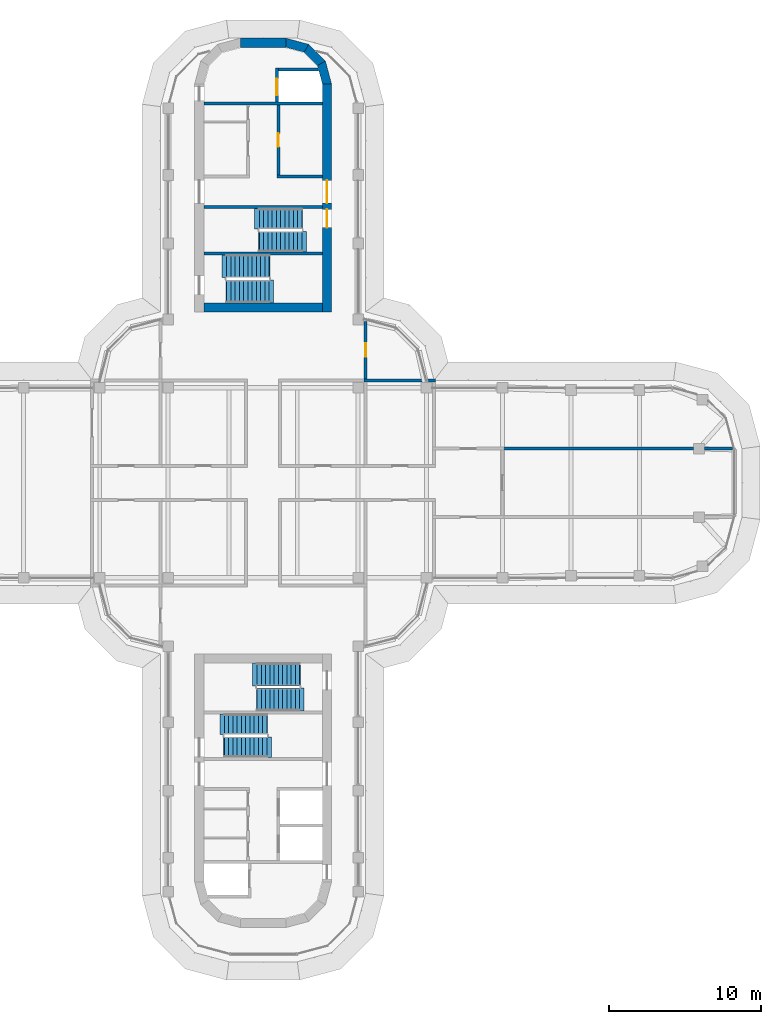
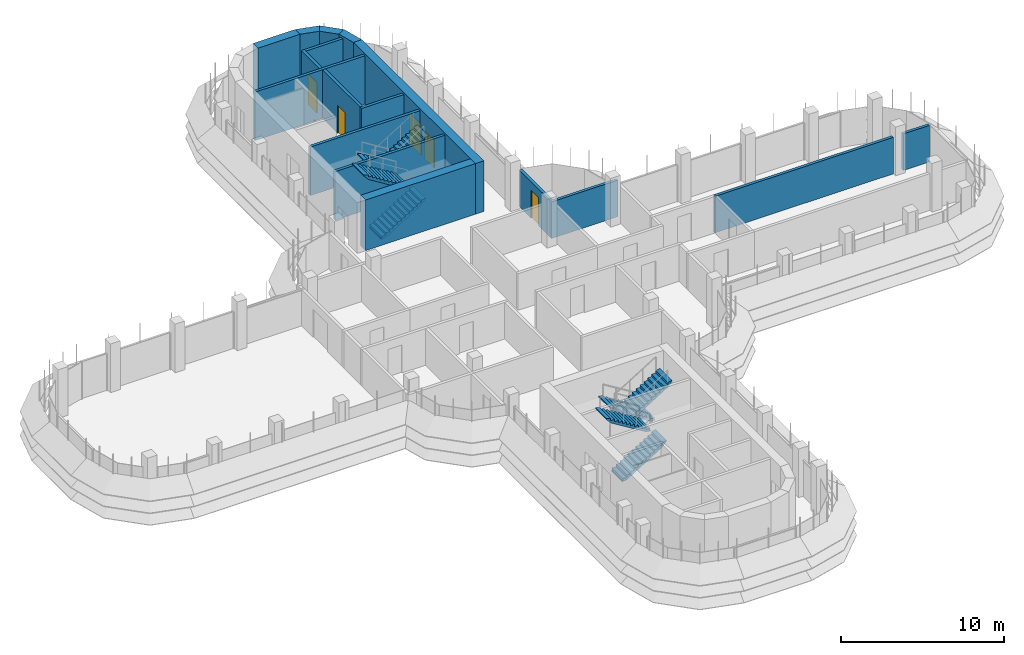
# One storey, part 15 of 19: 17 walls, 8 stair flights, 5 doors, 5 openings, 4 elements without a shape of their own.
"""IFC4 building model written with IfcOpenShell, lengths in metres."""

from ifc_helpers import new_model, si_unit, direction, frame, frame_2d, origin, place, context, subcontext, project, spatial, polyline, rectangle, outline, extrude, material, layer, layer_set, type_object, element, fill, aggregate, save


model = new_model("IFC4")

# Units and contexts
model_context = context("Model", 3, precision=1e-05, world=origin(), true_north=direction((0.0, 1.0)))
body_context = subcontext(model_context, "Body", "Model", "MODEL_VIEW")
ifc_project = project(units=[si_unit("LENGTHUNIT", "METRE"), si_unit("AREAUNIT", "SQUARE_METRE"), si_unit("VOLUMEUNIT", "CUBIC_METRE"), si_unit("PLANEANGLEUNIT", "RADIAN"), si_unit("MASSUNIT", "GRAM", prefix="KILO")], contexts=[model_context])

# Site, building, storey
site_placement = place(None, origin())
site = spatial("IfcSite", under=ifc_project, at=site_placement, CompositionType="ELEMENT")
building_placement = place(site_placement, origin())
building = spatial("IfcBuilding", under=site, at=building_placement, Name="Zarbagh Exchange Tower", CompositionType="ELEMENT")
storey_placement = place(building_placement, frame((0.0, 0.0, 241.0)))
storey = spatial("IfcBuildingStorey", under=building, at=storey_placement, Name="L59", CompositionType="ELEMENT", Elevation=241.0)

# Wall, opening, door
ifc_material_1 = material(Name="Fire-rated plasterboard partition")
ifc_layer_1 = layer(ifc_material_1, 0.199951171875)
ifc_layer_set_1 = layer_set([ifc_layer_1], Name="RATED PARTITION 200")
wall_type_1 = type_object("IfcWallType", Name="RATED PARTITION 200", PredefinedType="PARTITIONING", material=ifc_layer_set_1)
wall_1_placement = place(storey_placement, frame((6.75, 10.6298828125, 0.0), z_axis=(0.0, 0.0, 1.0), x_axis=(0.0, -1.0, 0.0)))
wall_1 = element("IfcWall", 1, at=wall_1_placement, inside=storey, type_object=wall_type_1, Name="Partition W-2515", PredefinedType="PARTITIONING", context=body_context, shape_type="SweptSolid", body=[
    extrude(rectangle(XDim=3.77978515625, YDim=0.199951171875, at=frame_2d((1.889892578125, 0.0))), origin(), (0.0, 0.0, 1.0), 2.745849609375),
])
opening_1_placement = place(wall_1_placement, frame((1.43994140625, 0.0, 0.0)))
opening_1 = element("IfcOpeningElement", 2, at=opening_1_placement, cuts=wall_1, Name="Opening D-2506", PredefinedType="OPENING", context=body_context, shape_type="SweptSolid", body=[
    extrude(rectangle(XDim=0.89990234375, YDim=2.10009765625, at=frame_2d((0.449951171875, 1.050048828125))), frame((0.0, 0.10986328125, 0.0), z_axis=(0.0, -1.0, 0.0), x_axis=(1.0, 0.0, 0.0)), (0.0, 0.0, 1.0), 0.219970703125),
])
ifc_material_2 = material(Name="Timber door leaf", Category="wood")
door_type_1 = type_object("IfcDoorType", Name="DOOR 900 X 2100", OperationType="NOTDEFINED", PredefinedType="DOOR", material=ifc_material_2)
door_1_placement = place(opening_1_placement, origin())
door_1 = element("IfcDoor", 3, at=door_1_placement, inside=storey, type_object=door_type_1, Name="Door D-2506", OperationType="SINGLE_SWING_RIGHT", OverallHeight=2.10009765625, OverallWidth=0.89990234375, PredefinedType="DOOR", context=body_context, shape_type="SweptSolid", body=[
    extrude(rectangle(XDim=0.89990234375, YDim=2.10009765625, at=frame_2d((0.449951171875, 1.050048828125))), frame((0.0, 0.02490234375, 0.0), z_axis=(0.0, -1.0, 0.0), x_axis=(1.0, 0.0, 0.0)), (0.0, 0.0, 1.0), 0.050048828125),
])
fill(opening_1, door_1)

# Walls
wall_2_placement = place(storey_placement, frame((6.64990234375, 6.75, 0.0), z_axis=(0.0, 0.0, 1.0), x_axis=(1.0, 0.0, 0.0)))
element("IfcWall", 4, at=wall_2_placement, inside=storey, type_object=wall_type_1, Name="Partition W-2523", PredefinedType="PARTITIONING", context=body_context, shape_type="SweptSolid", body=[
    extrude(rectangle(XDim=4.7001953125, YDim=0.199951171875, at=frame_2d((2.35009765625, 0.0))), origin(), (0.0, 0.0, 1.0), 2.745849609375),
])
wall_3_placement = place(storey_placement, frame((15.64990234375, 2.25, 0.0), z_axis=(0.0, 0.0, 1.0), x_axis=(1.0, 0.0, 0.0)))
element("IfcWall", 5, at=wall_3_placement, inside=storey, type_object=wall_type_1, Name="Partition W-2538", PredefinedType="PARTITIONING", context=body_context, shape_type="SweptSolid", body=[
    extrude(rectangle(XDim=12.670166015625, YDim=0.199951171875, at=frame_2d((6.3349609375, 0.0))), origin(), (0.0, 0.0, 1.0), 2.745849609375),
])
wall_4_placement = place(storey_placement, frame((29.02001953125, 2.25, 0.0), z_axis=(0.0, 0.0, 1.0), x_axis=(1.0, 0.0, 0.0)))
element("IfcWall", 6, at=wall_4_placement, inside=storey, type_object=wall_type_1, Name="Partition W-2539", PredefinedType="PARTITIONING", context=body_context, shape_type="SweptSolid", body=[
    extrude(rectangle(XDim=1.85986328125, YDim=0.199951171875, at=frame_2d((0.929931640625, 0.0))), origin(), (0.0, 0.0, 1.0), 2.745849609375),
])
ifc_material_3 = material(Name="Concrete C50/60", Category="concrete")
ifc_layer_2 = layer(ifc_material_3, 0.60009765625)
ifc_layer_set_2 = layer_set([ifc_layer_2], Name="RC core corner wall 600 C50/60")
wall_type_2 = type_object("IfcWallType", Name="RC core corner wall 600 C50/60", PredefinedType="SHEAR", material=ifc_layer_set_2)
wall_5_placement = place(storey_placement, origin())
element("IfcWall", 7, at=wall_5_placement, inside=storey, type_object=wall_type_2, Name="CW8 core N corner E", PredefinedType="SHEAR", context=body_context, shape_type="SweptSolid", body=[
    extrude(outline(polyline([(4.5, 26.25), (4.09814453125, 27.75), (3.57861328125, 27.449951171875), (3.89990234375, 26.25), (4.5, 26.25)])), origin(), (0.0, 0.0, 1.0), 3.800048828125),
])
wall_6_placement = place(storey_placement, origin())
element("IfcWall", 8, at=wall_6_placement, inside=storey, type_object=wall_type_2, Name="CW8 core N corner E", PredefinedType="SHEAR", context=body_context, shape_type="SweptSolid", body=[
    extrude(outline(polyline([(4.09814453125, 27.75), (3.0, 28.84814453125), (2.699951171875, 28.32861328125), (3.57861328125, 27.449951171875), (4.09814453125, 27.75)])), origin(), (0.0, 0.0, 1.0), 3.800048828125),
])
wall_7_placement = place(storey_placement, origin())
element("IfcWall", 9, at=wall_7_placement, inside=storey, type_object=wall_type_2, Name="CW8 core N corner E", PredefinedType="SHEAR", context=body_context, shape_type="SweptSolid", body=[
    extrude(outline(polyline([(3.0, 28.84814453125), (1.5, 29.25), (1.5, 28.64990234375), (2.699951171875, 28.32861328125), (3.0, 28.84814453125)])), origin(), (0.0, 0.0, 1.0), 3.800048828125),
])

# Wall, openings, doors
ifc_layer_3 = layer(ifc_material_3, 0.60009765625)
ifc_layer_set_3 = layer_set([ifc_layer_3], Name="RC core wall 600 C50/60")
wall_type_3 = type_object("IfcWallType", Name="RC core wall 600 C50/60", PredefinedType="SHEAR", material=ifc_layer_set_3)
wall_8_placement = place(storey_placement, frame((4.199951171875, 11.25, 0.0), z_axis=(0.0, 0.0, 1.0), x_axis=(0.0, 1.0, 0.0)))
wall_8 = element("IfcWall", 10, at=wall_8_placement, inside=storey, type_object=wall_type_3, Name="CW7 core N E", PredefinedType="SHEAR", context=body_context, shape_type="SweptSolid", body=[
    extrude(rectangle(XDim=15.0, YDim=0.60009765625, at=frame_2d((7.5, 0.0))), origin(), (0.0, 0.0, 1.0), 3.800048828125),
])
opening_2_placement = place(wall_8_placement, frame((7.14990234375, 0.0, 0.0)))
opening_2 = element("IfcOpeningElement", 11, at=opening_2_placement, cuts=wall_8, Name="Opening CD1-1500", PredefinedType="OPENING", context=body_context, shape_type="SweptSolid", body=[
    extrude(rectangle(XDim=1.5, YDim=2.300048828125, at=frame_2d((0.75, 1.14990234375))), frame((0.0, 0.31005859375, 0.0), z_axis=(0.0, -1.0, 0.0), x_axis=(1.0, 0.0, 0.0)), (0.0, 0.0, 1.0), 0.6201171875),
])
opening_3_placement = place(wall_8_placement, frame((5.550048828125, 0.0, 0.0)))
opening_3 = element("IfcOpeningElement", 12, at=opening_3_placement, cuts=wall_8, Name="Opening SD1-1200", PredefinedType="OPENING", context=body_context, shape_type="SweptSolid", body=[
    extrude(rectangle(XDim=1.199951171875, YDim=2.10009765625, at=frame_2d((0.60009765625, 1.050048828125))), frame((0.0, 0.31005859375, 0.0), z_axis=(0.0, -1.0, 0.0), x_axis=(1.0, 0.0, 0.0)), (0.0, 0.0, 1.0), 0.6201171875),
])
ifc_material_4 = material(Name="Steel", Category="steel")
door_type_2 = type_object("IfcDoorType", Name="Exit stair door 1200 x 2100", OperationType="NOTDEFINED", PredefinedType="DOOR", material=ifc_material_4)
door_2_placement = place(opening_3_placement, origin())
door_2 = element("IfcDoor", 13, at=door_2_placement, inside=storey, type_object=door_type_2, Name="North core stair door ST1", OperationType="SINGLE_SWING_LEFT", OverallHeight=2.10009765625, OverallWidth=1.199951171875, PredefinedType="DOOR", context=body_context, shape_type="SweptSolid", body=[
    extrude(rectangle(XDim=1.199951171875, YDim=2.10009765625, at=frame_2d((0.60009765625, 1.050048828125))), frame((0.0, 0.02490234375, 0.0), z_axis=(0.0, -1.0, 0.0), x_axis=(1.0, 0.0, 0.0)), (0.0, 0.0, 1.0), 0.050048828125),
])
fill(opening_3, door_2)
door_type_3 = type_object("IfcDoorType", Name="Lift lobby double door 1500 x 2300", OperationType="NOTDEFINED", PredefinedType="DOOR", material=ifc_material_4)
door_3_placement = place(opening_2_placement, origin())
door_3 = element("IfcDoor", 14, at=door_3_placement, inside=storey, type_object=door_type_3, Name="North core lift lobby door LOBBY-E", OperationType="DOUBLE_DOOR_SINGLE_SWING", OverallHeight=2.300048828125, OverallWidth=1.5, PredefinedType="DOOR", context=body_context, shape_type="SweptSolid", body=[
    extrude(rectangle(XDim=1.5, YDim=2.300048828125, at=frame_2d((0.75, 1.14990234375))), frame((0.0, 0.02490234375, 0.0), z_axis=(0.0, -1.0, 0.0), x_axis=(1.0, 0.0, 0.0)), (0.0, 0.0, 1.0), 0.050048828125),
])
fill(opening_2, door_3)

# Walls
wall_9_placement = place(storey_placement, frame((-3.89990234375, 11.550048828125, 0.0), z_axis=(0.0, 0.0, 1.0), x_axis=(1.0, 0.0, 0.0)))
element("IfcWall", 15, at=wall_9_placement, inside=storey, type_object=wall_type_3, Name="CW7 core N inner end", PredefinedType="SHEAR", context=body_context, shape_type="SweptSolid", body=[
    extrude(rectangle(XDim=7.7998046875, YDim=0.60009765625, at=frame_2d((3.89990234375, 0.0))), origin(), (0.0, 0.0, 1.0), 3.800048828125),
])
wall_10_placement = place(storey_placement, frame((-1.5, 28.949951171875, 0.0), z_axis=(0.0, 0.0, 1.0), x_axis=(1.0, 0.0, 0.0)))
element("IfcWall", 16, at=wall_10_placement, inside=storey, type_object=wall_type_3, Name="CW7 core N outer end", PredefinedType="SHEAR", context=body_context, shape_type="SweptSolid", body=[
    extrude(rectangle(XDim=3.0, YDim=0.60009765625, at=frame_2d((1.5, 0.0))), origin(), (0.0, 0.0, 1.0), 3.800048828125),
])
ifc_material_5 = material(Name="Dense blockwork", Category="masonry")
ifc_layer_4 = layer(ifc_material_5, 0.199951171875)
ifc_layer_set_4 = layer_set([ifc_layer_4], Name="Shaft wall 200 mm blockwork")
wall_type_4 = type_object("IfcWallType", Name="Shaft wall 200 mm blockwork", PredefinedType="PARTITIONING", material=ifc_layer_set_4)
wall_11_placement = place(storey_placement, frame((0.89990234375, 20.14990234375, 0.0), z_axis=(0.0, 0.0, 1.0), x_axis=(1.0, 0.0, 0.0)))
element("IfcWall", 17, at=wall_11_placement, inside=storey, type_object=wall_type_4, Name="North core shaft wall AB-E", PredefinedType="PARTITIONING", context=body_context, shape_type="SweptSolid", body=[
    extrude(rectangle(XDim=3.0, YDim=0.199951171875, at=frame_2d((1.5, 0.0))), origin(), (0.0, 0.0, 1.0), 3.64990234375),
])

# Wall, opening, door
wall_12_placement = place(storey_placement, frame((1.0, 24.85009765625, 0.0), z_axis=(0.0, 0.0, 1.0), x_axis=(0.0, -1.0, 0.0)))
wall_12 = element("IfcWall", 18, at=wall_12_placement, inside=storey, type_object=wall_type_4, Name="North core shaft wall LW-E", PredefinedType="PARTITIONING", context=body_context, shape_type="SweptSolid", body=[
    extrude(rectangle(XDim=4.60009765625, YDim=0.199951171875, at=frame_2d((2.300048828125, 0.0))), origin(), (0.0, 0.0, 1.0), 3.64990234375),
])
opening_4_placement = place(wall_12_placement, frame((1.85009765625, 0.0, 0.0)))
opening_4 = element("IfcOpeningElement", 19, at=opening_4_placement, cuts=wall_12, Name="Opening CD3-900", PredefinedType="OPENING", context=body_context, shape_type="SweptSolid", body=[
    extrude(rectangle(XDim=0.89990234375, YDim=2.10009765625, at=frame_2d((0.449951171875, 1.050048828125))), frame((0.0, 0.10986328125, 0.0), z_axis=(0.0, -1.0, 0.0), x_axis=(1.0, 0.0, 0.0)), (0.0, 0.0, 1.0), 0.219970703125),
])
door_type_4 = type_object("IfcDoorType", Name="Core room door 900 x 2100", OperationType="NOTDEFINED", PredefinedType="DOOR", material=ifc_material_4)
door_4_placement = place(opening_4_placement, origin())
door_4 = element("IfcDoor", 20, at=door_4_placement, inside=storey, type_object=door_type_4, Name="North core Riser store door RD-E-0", OperationType="SINGLE_SWING_LEFT", OverallHeight=2.10009765625, OverallWidth=0.89990234375, PredefinedType="DOOR", context=body_context, shape_type="SweptSolid", body=[
    extrude(rectangle(XDim=0.89990234375, YDim=2.10009765625, at=frame_2d((0.449951171875, 1.050048828125))), frame((0.0, 0.02490234375, 0.0), z_axis=(0.0, -1.0, 0.0), x_axis=(1.0, 0.0, 0.0)), (0.0, 0.0, 1.0), 0.050048828125),
])
fill(opening_4, door_4)

# Wall
ifc_material_6 = material(Name="Concrete C40/50", Category="concrete")
ifc_layer_5 = layer(ifc_material_6, 0.199951171875)
ifc_layer_set_5 = layer_set([ifc_layer_5], Name="Stair enclosure wall 200 mm RC C40/50")
wall_type_5 = type_object("IfcWallType", Name="Stair enclosure wall 200 mm RC C40/50", PredefinedType="SHEAR", material=ifc_layer_set_5)
wall_13_placement = place(storey_placement, frame((-3.89990234375, 24.949951171875, 0.0), z_axis=(0.0, 0.0, 1.0), x_axis=(1.0, 0.0, 0.0)))
element("IfcWall", 21, at=wall_13_placement, inside=storey, type_object=wall_type_5, Name="North core lift shaft wall FFA", PredefinedType="SHEAR", context=body_context, shape_type="SweptSolid", body=[
    extrude(rectangle(XDim=7.7998046875, YDim=0.199951171875, at=frame_2d((3.89990234375, 0.0))), origin(), (0.0, 0.0, 1.0), 3.64990234375),
])

# Wall, opening, door
wall_14_placement = place(storey_placement, frame((0.89990234375, 27.300048828125, 0.0), z_axis=(0.0, 0.0, 1.0), x_axis=(0.0, -1.0, 0.0)))
wall_14 = element("IfcWall", 22, at=wall_14_placement, inside=storey, type_object=wall_type_5, Name="North core lift shaft wall FFL", PredefinedType="SHEAR", context=body_context, shape_type="SweptSolid", body=[
    extrude(rectangle(XDim=2.25, YDim=0.199951171875, at=frame_2d((1.125, 0.0))), origin(), (0.0, 0.0, 1.0), 3.64990234375),
])
opening_5_placement = place(wall_14_placement, frame((0.699951171875, 0.0, 0.0)))
opening_5 = element("IfcOpeningElement", 23, at=opening_5_placement, cuts=wall_14, Name="Opening LD-1100", PredefinedType="OPENING", context=body_context, shape_type="SweptSolid", body=[
    extrude(rectangle(XDim=1.10009765625, YDim=2.300048828125, at=frame_2d((0.550048828125, 1.14990234375))), frame((0.0, 0.10986328125, 0.0), z_axis=(0.0, -1.0, 0.0), x_axis=(1.0, 0.0, 0.0)), (0.0, 0.0, 1.0), 0.219970703125),
])
ifc_material_7 = material(Name="Stainless steel", Category="steel")
door_type_5 = type_object("IfcDoorType", Name="Lift landing door 1100 x 2300", OperationType="NOTDEFINED", PredefinedType="DOOR", material=ifc_material_7)
door_5_placement = place(opening_5_placement, origin())
door_5 = element("IfcDoor", 24, at=door_5_placement, inside=storey, type_object=door_type_5, Name="North core lift landing door LD-F", OperationType="DOUBLE_DOOR_SLIDING", OverallHeight=2.300048828125, OverallWidth=1.10009765625, PredefinedType="DOOR", context=body_context, shape_type="SweptSolid", body=[
    extrude(rectangle(XDim=1.10009765625, YDim=2.300048828125, at=frame_2d((0.550048828125, 1.14990234375))), frame((0.0, 0.02490234375, 0.0), z_axis=(0.0, -1.0, 0.0), x_axis=(1.0, 0.0, 0.0)), (0.0, 0.0, 1.0), 0.050048828125),
])
fill(opening_5, door_5)

# Walls
wall_15_placement = place(storey_placement, origin())
element("IfcWall", 25, at=wall_15_placement, inside=storey, type_object=wall_type_5, Name="North core lift shaft wall FFX", PredefinedType="SHEAR", context=body_context, shape_type="SweptSolid", body=[
    extrude(outline(polyline([(1.0, 27.10009765625), (3.651123046875, 27.10009765625), (3.597412109375, 27.300048828125), (1.0, 27.300048828125), (1.0, 27.10009765625)])), origin(), (0.0, 0.0, 1.0), 3.64990234375),
])
for number, where, z_axis, x_axis, name in (
    (26, (-3.89990234375, 18.14990234375, 0.0), (0.0, 0.0, 1.0), (1.0, 0.0, 0.0), "North core stair wall BS"),
    (27, (-3.89990234375, 15.10009765625, 0.0), (0.0, 0.0, 1.0), (1.0, 0.0, 0.0), "North core stair wall ST12"),
):
    element("IfcWall", number, at=place(storey_placement, frame(where, z_axis=z_axis, x_axis=x_axis)), inside=storey, type_object=wall_type_5, Name=name, PredefinedType="SHEAR", context=body_context, shape_type="SweptSolid", body=[
        extrude(rectangle(XDim=7.7998046875, YDim=0.199951171875, at=frame_2d((3.89990234375, 0.0))), origin(), (0.0, 0.0, 1.0), 3.64990234375),
    ])

# Stair, stair flights
stair_type = type_object("IfcStairType", Name="Exit stair two-flight half-turn", PredefinedType="HALF_TURN_STAIR", material=ifc_material_6)
stair_1_placement = place(storey_placement, origin())
stair_1 = element("IfcStair", 28, at=stair_1_placement, inside=storey, type_object=stair_type, Name="exit stair ST1", PredefinedType="HALF_TURN_STAIR")
stair_flight_type_1 = type_object("IfcStairFlightType", Name="Stair flight 1350 mm", PredefinedType="STRAIGHT", material=ifc_material_6)
stair_flight_1_placement = place(storey_placement, frame((2.550048828125, 17.375, 0.0), z_axis=(0.0, 0.0, 1.0), x_axis=(-1.0, 0.0, 0.0)))
stair_flight_1 = element("IfcStairFlight", 29, at=stair_flight_1_placement, type_object=stair_flight_type_1, Name="ST1 flight 1", NumberOfRisers=11, NumberOfTreads=10, PredefinedType="STRAIGHT", RiserHeight=0.172727273, TreadLength=0.28, context=body_context, shape_type="SweptSolid", body=[
    extrude(outline(polyline([(-0.050048828125, -0.050048828125), (-0.050048828125, 0.0), (0.0, 0.0), (0.0, 0.172607421875), (0.280029296875, 0.172607421875), (0.280029296875, 0.345458984375), (0.56005859375, 0.345458984375), (0.56005859375, 0.51806640625), (0.840087890625, 0.51806640625), (0.840087890625, 0.69091796875), (1.1201171875, 0.69091796875), (1.1201171875, 0.863525390625), (1.39990234375, 0.863525390625), (1.39990234375, 1.036376953125), (1.679931640625, 1.036376953125), (1.679931640625, 1.208984375), (1.9599609375, 1.208984375), (1.9599609375, 1.3818359375), (2.239990234375, 1.3818359375), (2.239990234375, 1.554443359375), (2.52001953125, 1.554443359375), (2.52001953125, 1.727294921875), (2.800048828125, 1.727294921875), (2.800048828125, 1.89990234375), (3.10009765625, 1.97998046875), (3.10009765625, 1.89990234375), (2.800048828125, 1.551025390625), (0.285400390625, 0.0), (-0.050048828125, -0.050048828125)])), frame((0.0, 0.675048828125, 0.0), z_axis=(0.0, -1.0, 0.0), x_axis=(1.0, 0.0, 0.0)), (0.0, 0.0, 1.0), 1.35009765625),
])
stair_flight_2_placement = place(storey_placement, frame((-0.25, 15.875, 1.89990234375), z_axis=(0.0, 0.0, 1.0), x_axis=(1.0, 0.0, 0.0)))
stair_flight_2 = element("IfcStairFlight", 30, at=stair_flight_2_placement, type_object=stair_flight_type_1, Name="ST1 flight 2", NumberOfRisers=11, NumberOfTreads=10, PredefinedType="STRAIGHT", RiserHeight=0.172727273, TreadLength=0.28, context=body_context, shape_type="SweptSolid", body=[
    extrude(outline(polyline([(-0.050048828125, -0.050048828125), (-0.050048828125, 0.0), (0.0, 0.0), (0.0, 0.172607421875), (0.280029296875, 0.172607421875), (0.280029296875, 0.345458984375), (0.56005859375, 0.345458984375), (0.56005859375, 0.51806640625), (0.840087890625, 0.51806640625), (0.840087890625, 0.69091796875), (1.1201171875, 0.69091796875), (1.1201171875, 0.863525390625), (1.39990234375, 0.863525390625), (1.39990234375, 1.036376953125), (1.679931640625, 1.036376953125), (1.679931640625, 1.208984375), (1.9599609375, 1.208984375), (1.9599609375, 1.3818359375), (2.239990234375, 1.3818359375), (2.239990234375, 1.554443359375), (2.52001953125, 1.554443359375), (2.52001953125, 1.727294921875), (2.800048828125, 1.727294921875), (2.800048828125, 1.89990234375), (3.10009765625, 1.97998046875), (3.10009765625, 1.89990234375), (2.800048828125, 1.551025390625), (0.285400390625, 0.0), (-0.050048828125, -0.050048828125)])), frame((0.0, 0.675048828125, 0.0), z_axis=(0.0, -1.0, 0.0), x_axis=(1.0, 0.0, 0.0)), (0.0, 0.0, 1.0), 1.35009765625),
])
aggregate(stair_1, [stair_flight_1, stair_flight_2])

stair_2_placement = place(storey_placement, origin())
stair_2 = element("IfcStair", 31, at=stair_2_placement, inside=storey, type_object=stair_type, Name="exit stair ST3", PredefinedType="HALF_TURN_STAIR")
stair_flight_3_placement = place(storey_placement, frame((-2.550048828125, -17.375, 0.0), z_axis=(0.0, 0.0, 1.0), x_axis=(1.0, 0.0, 0.0)))
stair_flight_3 = element("IfcStairFlight", 32, at=stair_flight_3_placement, type_object=stair_flight_type_1, Name="ST3 flight 1", NumberOfRisers=11, NumberOfTreads=10, PredefinedType="STRAIGHT", RiserHeight=0.172727273, TreadLength=0.28, context=body_context, shape_type="SweptSolid", body=[
    extrude(outline(polyline([(-0.050048828125, -0.050048828125), (-0.050048828125, 0.0), (0.0, 0.0), (0.0, 0.172607421875), (0.280029296875, 0.172607421875), (0.280029296875, 0.345458984375), (0.56005859375, 0.345458984375), (0.56005859375, 0.51806640625), (0.840087890625, 0.51806640625), (0.840087890625, 0.69091796875), (1.1201171875, 0.69091796875), (1.1201171875, 0.863525390625), (1.39990234375, 0.863525390625), (1.39990234375, 1.036376953125), (1.679931640625, 1.036376953125), (1.679931640625, 1.208984375), (1.9599609375, 1.208984375), (1.9599609375, 1.3818359375), (2.239990234375, 1.3818359375), (2.239990234375, 1.554443359375), (2.52001953125, 1.554443359375), (2.52001953125, 1.727294921875), (2.800048828125, 1.727294921875), (2.800048828125, 1.89990234375), (3.10009765625, 1.97998046875), (3.10009765625, 1.89990234375), (2.800048828125, 1.551025390625), (0.285400390625, 0.0), (-0.050048828125, -0.050048828125)])), frame((0.0, 0.675048828125, 0.0), z_axis=(0.0, -1.0, 0.0), x_axis=(1.0, 0.0, 0.0)), (0.0, 0.0, 1.0), 1.35009765625),
])
stair_flight_4_placement = place(storey_placement, frame((0.25, -15.875, 1.89990234375), z_axis=(0.0, 0.0, 1.0), x_axis=(-1.0, 0.0, 0.0)))
stair_flight_4 = element("IfcStairFlight", 33, at=stair_flight_4_placement, type_object=stair_flight_type_1, Name="ST3 flight 2", NumberOfRisers=11, NumberOfTreads=10, PredefinedType="STRAIGHT", RiserHeight=0.172727273, TreadLength=0.28, context=body_context, shape_type="SweptSolid", body=[
    extrude(outline(polyline([(-0.050048828125, -0.050048828125), (-0.050048828125, 0.0), (0.0, 0.0), (0.0, 0.172607421875), (0.280029296875, 0.172607421875), (0.280029296875, 0.345458984375), (0.56005859375, 0.345458984375), (0.56005859375, 0.51806640625), (0.840087890625, 0.51806640625), (0.840087890625, 0.69091796875), (1.1201171875, 0.69091796875), (1.1201171875, 0.863525390625), (1.39990234375, 0.863525390625), (1.39990234375, 1.036376953125), (1.679931640625, 1.036376953125), (1.679931640625, 1.208984375), (1.9599609375, 1.208984375), (1.9599609375, 1.3818359375), (2.239990234375, 1.3818359375), (2.239990234375, 1.554443359375), (2.52001953125, 1.554443359375), (2.52001953125, 1.727294921875), (2.800048828125, 1.727294921875), (2.800048828125, 1.89990234375), (3.10009765625, 1.97998046875), (3.10009765625, 1.89990234375), (2.800048828125, 1.551025390625), (0.285400390625, 0.0), (-0.050048828125, -0.050048828125)])), frame((0.0, 0.675048828125, 0.0), z_axis=(0.0, -1.0, 0.0), x_axis=(1.0, 0.0, 0.0)), (0.0, 0.0, 1.0), 1.35009765625),
])
aggregate(stair_2, [stair_flight_3, stair_flight_4])

stair_3_placement = place(storey_placement, origin())
stair_3 = element("IfcStair", 34, at=stair_3_placement, inside=storey, type_object=stair_type, Name="exit stair ST2", PredefinedType="HALF_TURN_STAIR")
stair_flight_type_2 = type_object("IfcStairFlightType", Name="Stair flight 1500 mm", PredefinedType="STRAIGHT", material=ifc_material_6)
stair_flight_5_placement = place(storey_placement, frame((-2.39990234375, 12.60009765625, 0.0), z_axis=(0.0, 0.0, 1.0), x_axis=(1.0, 0.0, 0.0)))
stair_flight_5 = element("IfcStairFlight", 35, at=stair_flight_5_placement, type_object=stair_flight_type_2, Name="ST2 flight 1", NumberOfRisers=11, NumberOfTreads=10, PredefinedType="STRAIGHT", RiserHeight=0.172727273, TreadLength=0.28, context=body_context, shape_type="SweptSolid", body=[
    extrude(outline(polyline([(-0.050048828125, -0.050048828125), (-0.050048828125, 0.0), (0.0, 0.0), (0.0, 0.172607421875), (0.280029296875, 0.172607421875), (0.280029296875, 0.345458984375), (0.56005859375, 0.345458984375), (0.56005859375, 0.51806640625), (0.840087890625, 0.51806640625), (0.840087890625, 0.69091796875), (1.1201171875, 0.69091796875), (1.1201171875, 0.863525390625), (1.39990234375, 0.863525390625), (1.39990234375, 1.036376953125), (1.679931640625, 1.036376953125), (1.679931640625, 1.208984375), (1.9599609375, 1.208984375), (1.9599609375, 1.3818359375), (2.239990234375, 1.3818359375), (2.239990234375, 1.554443359375), (2.52001953125, 1.554443359375), (2.52001953125, 1.727294921875), (2.800048828125, 1.727294921875), (2.800048828125, 1.89990234375), (3.10009765625, 1.97998046875), (3.10009765625, 1.89990234375), (2.800048828125, 1.551025390625), (0.285400390625, 0.0), (-0.050048828125, -0.050048828125)])), frame((0.0, 0.75, 0.0), z_axis=(0.0, -1.0, 0.0), x_axis=(1.0, 0.0, 0.0)), (0.0, 0.0, 1.0), 1.5),
])
stair_flight_6_placement = place(storey_placement, frame((0.39990234375, 14.25, 1.89990234375), z_axis=(0.0, 0.0, 1.0), x_axis=(-1.0, 0.0, 0.0)))
stair_flight_6 = element("IfcStairFlight", 36, at=stair_flight_6_placement, type_object=stair_flight_type_2, Name="ST2 flight 2", NumberOfRisers=11, NumberOfTreads=10, PredefinedType="STRAIGHT", RiserHeight=0.172727273, TreadLength=0.28, context=body_context, shape_type="SweptSolid", body=[
    extrude(outline(polyline([(-0.050048828125, -0.050048828125), (-0.050048828125, 0.0), (0.0, 0.0), (0.0, 0.172607421875), (0.280029296875, 0.172607421875), (0.280029296875, 0.345458984375), (0.56005859375, 0.345458984375), (0.56005859375, 0.51806640625), (0.840087890625, 0.51806640625), (0.840087890625, 0.69091796875), (1.1201171875, 0.69091796875), (1.1201171875, 0.863525390625), (1.39990234375, 0.863525390625), (1.39990234375, 1.036376953125), (1.679931640625, 1.036376953125), (1.679931640625, 1.208984375), (1.9599609375, 1.208984375), (1.9599609375, 1.3818359375), (2.239990234375, 1.3818359375), (2.239990234375, 1.554443359375), (2.52001953125, 1.554443359375), (2.52001953125, 1.727294921875), (2.800048828125, 1.727294921875), (2.800048828125, 1.89990234375), (3.10009765625, 1.97998046875), (3.10009765625, 1.89990234375), (2.800048828125, 1.551025390625), (0.285400390625, 0.0), (-0.050048828125, -0.050048828125)])), frame((0.0, 0.75, 0.0), z_axis=(0.0, -1.0, 0.0), x_axis=(1.0, 0.0, 0.0)), (0.0, 0.0, 1.0), 1.5),
])
aggregate(stair_3, [stair_flight_5, stair_flight_6])

stair_4_placement = place(storey_placement, origin())
stair_4 = element("IfcStair", 37, at=stair_4_placement, inside=storey, type_object=stair_type, Name="exit stair ST4", PredefinedType="HALF_TURN_STAIR")
stair_flight_7_placement = place(storey_placement, frame((2.39990234375, -12.60009765625, 0.0), z_axis=(0.0, 0.0, 1.0), x_axis=(-1.0, 0.0, 0.0)))
stair_flight_7 = element("IfcStairFlight", 38, at=stair_flight_7_placement, type_object=stair_flight_type_2, Name="ST4 flight 1", NumberOfRisers=11, NumberOfTreads=10, PredefinedType="STRAIGHT", RiserHeight=0.172727273, TreadLength=0.28, context=body_context, shape_type="SweptSolid", body=[
    extrude(outline(polyline([(-0.050048828125, -0.050048828125), (-0.050048828125, 0.0), (0.0, 0.0), (0.0, 0.172607421875), (0.280029296875, 0.172607421875), (0.280029296875, 0.345458984375), (0.56005859375, 0.345458984375), (0.56005859375, 0.51806640625), (0.840087890625, 0.51806640625), (0.840087890625, 0.69091796875), (1.1201171875, 0.69091796875), (1.1201171875, 0.863525390625), (1.39990234375, 0.863525390625), (1.39990234375, 1.036376953125), (1.679931640625, 1.036376953125), (1.679931640625, 1.208984375), (1.9599609375, 1.208984375), (1.9599609375, 1.3818359375), (2.239990234375, 1.3818359375), (2.239990234375, 1.554443359375), (2.52001953125, 1.554443359375), (2.52001953125, 1.727294921875), (2.800048828125, 1.727294921875), (2.800048828125, 1.89990234375), (3.10009765625, 1.97998046875), (3.10009765625, 1.89990234375), (2.800048828125, 1.551025390625), (0.285400390625, 0.0), (-0.050048828125, -0.050048828125)])), frame((0.0, 0.75, 0.0), z_axis=(0.0, -1.0, 0.0), x_axis=(1.0, 0.0, 0.0)), (0.0, 0.0, 1.0), 1.5),
])
stair_flight_8_placement = place(storey_placement, frame((-0.39990234375, -14.25, 1.89990234375), z_axis=(0.0, 0.0, 1.0), x_axis=(1.0, 0.0, 0.0)))
stair_flight_8 = element("IfcStairFlight", 39, at=stair_flight_8_placement, type_object=stair_flight_type_2, Name="ST4 flight 2", NumberOfRisers=11, NumberOfTreads=10, PredefinedType="STRAIGHT", RiserHeight=0.172727273, TreadLength=0.28, context=body_context, shape_type="SweptSolid", body=[
    extrude(outline(polyline([(-0.050048828125, -0.050048828125), (-0.050048828125, 0.0), (0.0, 0.0), (0.0, 0.172607421875), (0.280029296875, 0.172607421875), (0.280029296875, 0.345458984375), (0.56005859375, 0.345458984375), (0.56005859375, 0.51806640625), (0.840087890625, 0.51806640625), (0.840087890625, 0.69091796875), (1.1201171875, 0.69091796875), (1.1201171875, 0.863525390625), (1.39990234375, 0.863525390625), (1.39990234375, 1.036376953125), (1.679931640625, 1.036376953125), (1.679931640625, 1.208984375), (1.9599609375, 1.208984375), (1.9599609375, 1.3818359375), (2.239990234375, 1.3818359375), (2.239990234375, 1.554443359375), (2.52001953125, 1.554443359375), (2.52001953125, 1.727294921875), (2.800048828125, 1.727294921875), (2.800048828125, 1.89990234375), (3.10009765625, 1.97998046875), (3.10009765625, 1.89990234375), (2.800048828125, 1.551025390625), (0.285400390625, 0.0), (-0.050048828125, -0.050048828125)])), frame((0.0, 0.75, 0.0), z_axis=(0.0, -1.0, 0.0), x_axis=(1.0, 0.0, 0.0)), (0.0, 0.0, 1.0), 1.5),
])
aggregate(stair_4, [stair_flight_7, stair_flight_8])

save(model, "model.ifc")
